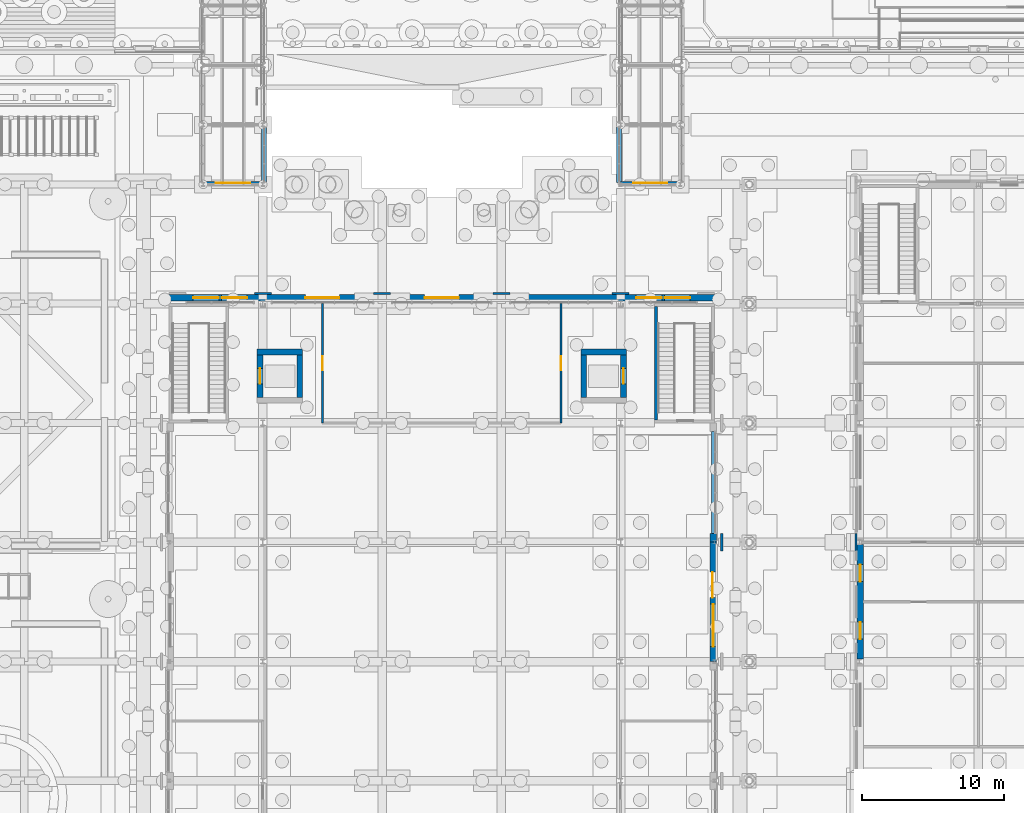
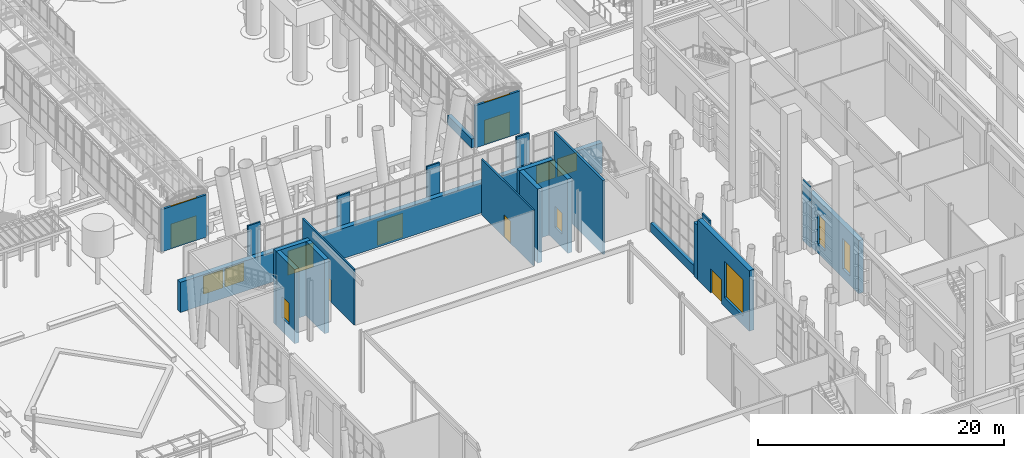
# One storey, part 96 of 222: 24 walls, 9 doors, 9 windows, 18 openings.
"""IFC4 building model written with IfcOpenShell, lengths in metres."""

from ifc_helpers import new_model, si_unit, direction, frame, frame_2d, origin, place, context, subcontext, project, spatial, rectangle, extrude, material, layer, layer_set, type_object, element, fill, save


model = new_model("IFC4")

# Units and contexts
model_context = context("Model", 3, precision=1e-05, world=origin(), true_north=direction((0.0, 1.0)))
body_context = subcontext(model_context, "Body", "Model", "MODEL_VIEW")
ifc_project = project(units=[si_unit("LENGTHUNIT", "METRE"), si_unit("AREAUNIT", "SQUARE_METRE"), si_unit("VOLUMEUNIT", "CUBIC_METRE"), si_unit("PLANEANGLEUNIT", "RADIAN"), si_unit("MASSUNIT", "GRAM", prefix="KILO")], contexts=[model_context])

# Site, building, storey
site_placement = place(None, origin())
site = spatial("IfcSite", under=ifc_project, at=site_placement, CompositionType="ELEMENT")
building_placement = place(site_placement, origin())
building = spatial("IfcBuilding", under=site, at=building_placement, Name="Sava Quay Ferry Terminal", CompositionType="ELEMENT")
storey_placement = place(building_placement, origin())
storey = spatial("IfcBuildingStorey", under=building, at=storey_placement, Name="L00", CompositionType="ELEMENT", Elevation=0.0)

# Wall, openings, door, window
ifc_material_1 = material(Name="Aluminium bronze anodised", Category="aluminium")
ifc_layer_1 = layer(ifc_material_1, 0.199951171875)
ifc_layer_set_1 = layer_set([ifc_layer_1], Name="Aluminium bronze anodised")
wall_type_1 = type_object("IfcWallType", Name="Gallery kerb wall 200", PredefinedType="SOLIDWALL", material=ifc_layer_set_1)
wall_1_placement = place(storey_placement, frame((46.199951171875, 109.300048828125, 0.0), z_axis=(0.0, 0.0, 1.0), x_axis=(1.0, 0.0, 0.0)))
wall_1 = element("IfcWall", 1, at=wall_1_placement, inside=storey, type_object=wall_type_1, Name="External wall B1 end S", PredefinedType="SOLIDWALL", context=body_context, shape_type="SweptSolid", body=[
    extrude(rectangle(XDim=4.199951171875, YDim=0.199951171875, at=frame_2d((2.10009765625, 0.0))), origin(), (0.0, 0.0, 1.0), 4.199951171875),
])
opening_1_placement = place(wall_1_placement, frame((0.89990234375, 0.0, 0.0)))
opening_1 = element("IfcOpeningElement", 2, at=opening_1_placement, cuts=wall_1, Name="Opening DX-B1", PredefinedType="OPENING", context=body_context, shape_type="SweptSolid", body=[
    extrude(rectangle(XDim=2.39990234375, YDim=2.39990234375, at=frame_2d((1.199951171875, 1.199951171875))), frame((0.0, 0.10009765625, 0.0), z_axis=(0.0, -1.0, 0.0), x_axis=(1.0, 0.0, 0.0)), (0.0, 0.0, 1.0), 0.199951171875),
])
opening_2_placement = place(wall_1_placement, frame((0.89990234375, 0.0, 3.0)))
opening_2 = element("IfcOpeningElement", 3, at=opening_2_placement, cuts=wall_1, Name="Opening W-T", PredefinedType="OPENING", context=body_context, shape_type="SweptSolid", body=[
    extrude(rectangle(XDim=2.39990234375, YDim=1.199951171875, at=frame_2d((1.199951171875, 0.60009765625))), frame((0.0, 0.10009765625, 0.0), z_axis=(0.0, -1.0, 0.0), x_axis=(1.0, 0.0, 0.0)), (0.0, 0.0, 1.0), 0.199951171875),
])
ifc_material_2 = material(Name="Aluminium bronze anodised, glazing safety laminated", Category="aluminium")
door_type_1 = type_object("IfcDoorType", Name="Entrance double door 2400x2400", OperationType="DOUBLE_DOOR_SINGLE_SWING", PredefinedType="DOOR", material=ifc_material_2)
door_1_placement = place(opening_1_placement, origin())
door_1 = element("IfcDoor", 4, at=door_1_placement, inside=storey, type_object=door_type_1, Name="Door DX-B1", OperationType="DOUBLE_DOOR_SINGLE_SWING", OverallHeight=2.39990234375, OverallWidth=2.39990234375, PredefinedType="DOOR", context=body_context, shape_type="SweptSolid", body=[
    extrude(rectangle(XDim=2.39990234375, YDim=2.39990234375, at=frame_2d((1.199951171875, 1.199951171875))), frame((0.0, 0.02490234375, 0.0), z_axis=(0.0, -1.0, 0.0), x_axis=(1.0, 0.0, 0.0)), (0.0, 0.0, 1.0), 0.050048828125),
])
fill(opening_1, door_1)
ifc_material_3 = material(Name="Aluminium bronze anodised frame, glazing double low-e Ug 1.1", Category="aluminium")
window_type_1 = type_object("IfcWindowType", Name="Gallery end transom window 2400x1200", PartitioningType="SINGLE_PANEL", PredefinedType="WINDOW", material=ifc_material_3)
window_1_placement = place(opening_2_placement, origin())
window_1 = element("IfcWindow", 5, at=window_1_placement, inside=storey, type_object=window_type_1, Name="Window W-T", OverallHeight=1.199951171875, OverallWidth=2.39990234375, PartitioningType="SINGLE_PANEL", PredefinedType="WINDOW", context=body_context, shape_type="SweptSolid", body=[
    extrude(rectangle(XDim=2.39990234375, YDim=1.199951171875, at=frame_2d((1.199951171875, 0.60009765625))), frame((0.0, 0.030029296875, 0.0), z_axis=(0.0, -1.0, 0.0), x_axis=(1.0, 0.0, 0.0)), (0.0, 0.0, 1.0), 0.06005859375),
])
fill(opening_2, window_1)

wall_2_placement = place(storey_placement, frame((75.60009765625, 109.300048828125, 0.0), z_axis=(0.0, 0.0, 1.0), x_axis=(1.0, 0.0, 0.0)))
wall_2 = element("IfcWall", 6, at=wall_2_placement, inside=storey, type_object=wall_type_1, Name="External wall B2 end S", PredefinedType="SOLIDWALL", context=body_context, shape_type="SweptSolid", body=[
    extrude(rectangle(XDim=4.199951171875, YDim=0.199951171875, at=frame_2d((2.10009765625, 0.0))), origin(), (0.0, 0.0, 1.0), 4.199951171875),
])
opening_3_placement = place(wall_2_placement, frame((0.89990234375, 0.0, 0.0)))
opening_3 = element("IfcOpeningElement", 7, at=opening_3_placement, cuts=wall_2, Name="Opening DX-B2", PredefinedType="OPENING", context=body_context, shape_type="SweptSolid", body=[
    extrude(rectangle(XDim=2.39990234375, YDim=2.39990234375, at=frame_2d((1.199951171875, 1.199951171875))), frame((0.0, 0.10009765625, 0.0), z_axis=(0.0, -1.0, 0.0), x_axis=(1.0, 0.0, 0.0)), (0.0, 0.0, 1.0), 0.199951171875),
])
opening_4_placement = place(wall_2_placement, frame((0.89990234375, 0.0, 3.0)))
opening_4 = element("IfcOpeningElement", 8, at=opening_4_placement, cuts=wall_2, Name="Opening W-T", PredefinedType="OPENING", context=body_context, shape_type="SweptSolid", body=[
    extrude(rectangle(XDim=2.39990234375, YDim=1.199951171875, at=frame_2d((1.199951171875, 0.60009765625))), frame((0.0, 0.10009765625, 0.0), z_axis=(0.0, -1.0, 0.0), x_axis=(1.0, 0.0, 0.0)), (0.0, 0.0, 1.0), 0.199951171875),
])
door_2_placement = place(opening_3_placement, origin())
door_2 = element("IfcDoor", 9, at=door_2_placement, inside=storey, type_object=door_type_1, Name="Door DX-B2", OperationType="DOUBLE_DOOR_SINGLE_SWING", OverallHeight=2.39990234375, OverallWidth=2.39990234375, PredefinedType="DOOR", context=body_context, shape_type="SweptSolid", body=[
    extrude(rectangle(XDim=2.39990234375, YDim=2.39990234375, at=frame_2d((1.199951171875, 1.199951171875))), frame((0.0, 0.02490234375, 0.0), z_axis=(0.0, -1.0, 0.0), x_axis=(1.0, 0.0, 0.0)), (0.0, 0.0, 1.0), 0.050048828125),
])
fill(opening_3, door_2)
window_2_placement = place(opening_4_placement, origin())
window_2 = element("IfcWindow", 10, at=window_2_placement, inside=storey, type_object=window_type_1, Name="Window W-T", OverallHeight=1.199951171875, OverallWidth=2.39990234375, PartitioningType="SINGLE_PANEL", PredefinedType="WINDOW", context=body_context, shape_type="SweptSolid", body=[
    extrude(rectangle(XDim=2.39990234375, YDim=1.199951171875, at=frame_2d((1.199951171875, 0.60009765625))), frame((0.0, 0.030029296875, 0.0), z_axis=(0.0, -1.0, 0.0), x_axis=(1.0, 0.0, 0.0)), (0.0, 0.0, 1.0), 0.06005859375),
])
fill(opening_4, window_2)

# Walls
ifc_material_4 = material(Name="Limestone Mutalj", Category="masonry")
ifc_layer_2 = layer(ifc_material_4, 0.35009765625)
ifc_layer_set_2 = layer_set([ifc_layer_2], Name="Limestone Mutalj")
wall_type_2 = type_object("IfcWallType", Name="Limestone kerb and parapet 350", PredefinedType="SOLIDWALL", material=ifc_layer_set_2)
wall_3_placement = place(storey_placement, frame((82.175048828125, 84.60009765625, 0.0), z_axis=(0.0, 0.0, 1.0), x_axis=(0.0, 1.0, 0.0)))
element("IfcWall", 11, at=wall_3_placement, inside=storey, type_object=wall_type_2, Name="External wall D", PredefinedType="SOLIDWALL", context=body_context, shape_type="SweptSolid", body=[
    extrude(rectangle(XDim=7.199951171875, YDim=0.35009765625, at=frame_2d((3.60009765625, 0.0))), origin(), (0.0, 0.0, 1.0), 0.89990234375),
])
for number, where, z_axis, x_axis, name in (
    (12, (50.5, 109.35009765625, 0.0), (0.0, 0.0, 1.0), (0.0, 1.0, 0.0), "Gallery kerb"),
    (13, (75.5, 109.35009765625, 0.0), (0.0, 0.0, 1.0), (0.0, 1.0, 0.0), "Gallery kerb"),
):
    element("IfcWall", number, at=place(storey_placement, frame(where, z_axis=z_axis, x_axis=x_axis)), inside=storey, type_object=wall_type_2, Name=name, PredefinedType="SOLIDWALL", context=body_context, shape_type="SweptSolid", body=[
        extrude(rectangle(XDim=3.89990234375, YDim=0.35009765625, at=frame_2d((1.949951171875, 0.0))), origin(), (0.0, 0.0, 1.0), 0.89990234375),
    ])
ifc_material_5 = material(Name="Limestone Mutalj", Category="masonry")
ifc_layer_3 = layer(ifc_material_5, 0.14990234375)
ifc_layer_set_3 = layer_set([ifc_layer_3], Name="Limestone Mutalj")
wall_type_3 = type_object("IfcWallType", Name="Pier cladding 150", PredefinedType="SOLIDWALL", material=ifc_layer_set_3)
for number, where, z_axis, x_axis, name in (
    (14, (92.175048828125, 83.39990234375, 0.0), (0.0, 0.0, 1.0), (0.0, 1.0, 0.0), "Pier O-W grid 84"),
    (15, (82.72509765625, 83.39990234375, 0.0), (0.0, 0.0, 1.0), (0.0, 1.0, 0.0), "External wall D"),
):
    element("IfcWall", number, at=place(storey_placement, frame(where, z_axis=z_axis, x_axis=x_axis)), inside=storey, type_object=wall_type_3, Name=name, PredefinedType="SOLIDWALL", context=body_context, shape_type="SweptSolid", body=[
        extrude(rectangle(XDim=1.2001953125, YDim=0.14990234375, at=frame_2d((0.60009765625, 0.0))), origin(), (0.0, 0.0, 1.0), 6.0),
    ])
for number, where, z_axis, x_axis, name in (
    (16, (49.800048828125, 101.52490234375, 0.0), (0.0, 0.0, 1.0), (1.0, 0.0, 0.0), "Pier D-N 50.4"),
    (17, (58.199951171875, 101.52490234375, 0.0), (0.0, 0.0, 1.0), (1.0, 0.0, 0.0), "Pier D-N 58.8"),
    (18, (66.60009765625, 101.52490234375, 0.0), (0.0, 0.0, 1.0), (1.0, 0.0, 0.0), "Pier D-N 67.2"),
    (19, (75.0, 101.52490234375, 0.0), (0.0, 0.0, 1.0), (1.0, 0.0, 0.0), "Pier D-N 75.6"),
):
    element("IfcWall", number, at=place(storey_placement, frame(where, z_axis=z_axis, x_axis=x_axis)), inside=storey, type_object=wall_type_3, Name=name, PredefinedType="SOLIDWALL", context=body_context, shape_type="SweptSolid", body=[
        extrude(rectangle(XDim=1.199951171875, YDim=0.14990234375, at=frame_2d((0.60009765625, 0.0))), origin(), (0.0, 0.0, 1.0), 6.0),
    ])

# Wall, opening, door
ifc_material_6 = material(Name="Masonry blockwork", Category="masonry")
ifc_layer_4 = layer(ifc_material_6, 0.14990234375)
ifc_layer_set_4 = layer_set([ifc_layer_4], Name="Masonry blockwork")
wall_type_4 = type_object("IfcWallType", Name="Plant, store and lobby wall, blockwork 150", PredefinedType="PARTITIONING", material=ifc_layer_set_4)
wall_4_placement = place(storey_placement, frame((54.60009765625, 92.39990234375, 0.0), z_axis=(0.0, 0.0, 1.0), x_axis=(0.0, 1.0, 0.0)))
wall_4 = element("IfcWall", 20, at=wall_4_placement, inside=storey, type_object=wall_type_4, Name="Plant, store and lobby wall, blockwork 150", PredefinedType="PARTITIONING", context=body_context, shape_type="SweptSolid", body=[
    extrude(rectangle(XDim=8.400146484375, YDim=0.14990234375, at=frame_2d((4.2001953125, 0.0))), origin(), (0.0, 0.0, 1.0), 5.510009765625),
])
opening_5_placement = place(wall_4_placement, frame((3.699951171875, 0.0, 0.0)))
opening_5 = element("IfcOpeningElement", 21, at=opening_5_placement, cuts=wall_4, Name="Opening D0023", PredefinedType="OPENING", context=body_context, shape_type="SweptSolid", body=[
    extrude(rectangle(XDim=1.0, YDim=2.199951171875, at=frame_2d((0.5, 1.10009765625))), frame((0.0, 0.074951171875, 0.0), z_axis=(0.0, -1.0, 0.0), x_axis=(1.0, 0.0, 0.0)), (0.0, 0.0, 1.0), 0.14990234375),
])
ifc_material_7 = material(Name="Timber door set", Category="wood")
door_type_2 = type_object("IfcDoorType", Name="Single door 1000 x 2200", OperationType="NOTDEFINED", PredefinedType="DOOR", material=ifc_material_7)
door_3_placement = place(opening_5_placement, origin())
door_3 = element("IfcDoor", 22, at=door_3_placement, inside=storey, type_object=door_type_2, Name="Door D0023", OperationType="SINGLE_SWING_RIGHT", OverallHeight=2.199951171875, OverallWidth=1.0, PredefinedType="DOOR", context=body_context, shape_type="SweptSolid", body=[
    extrude(rectangle(XDim=1.0, YDim=2.199951171875, at=frame_2d((0.5, 1.10009765625))), frame((0.0, 0.02490234375, 0.0), z_axis=(0.0, -1.0, 0.0), x_axis=(1.0, 0.0, 0.0)), (0.0, 0.0, 1.0), 0.050048828125),
])
fill(opening_5, door_3)

wall_5_placement = place(storey_placement, frame((71.39990234375, 92.39990234375, 0.0), z_axis=(0.0, 0.0, 1.0), x_axis=(0.0, 1.0, 0.0)))
wall_5 = element("IfcWall", 23, at=wall_5_placement, inside=storey, type_object=wall_type_4, Name="Plant, store and lobby wall, blockwork 150", PredefinedType="PARTITIONING", context=body_context, shape_type="SweptSolid", body=[
    extrude(rectangle(XDim=8.400146484375, YDim=0.14990234375, at=frame_2d((4.2001953125, 0.0))), origin(), (0.0, 0.0, 1.0), 5.510009765625),
])
opening_6_placement = place(wall_5_placement, frame((3.699951171875, 0.0, 0.0)))
opening_6 = element("IfcOpeningElement", 24, at=opening_6_placement, cuts=wall_5, Name="Opening D0024", PredefinedType="OPENING", context=body_context, shape_type="SweptSolid", body=[
    extrude(rectangle(XDim=1.0, YDim=2.199951171875, at=frame_2d((0.5, 1.10009765625))), frame((0.0, 0.074951171875, 0.0), z_axis=(0.0, -1.0, 0.0), x_axis=(1.0, 0.0, 0.0)), (0.0, 0.0, 1.0), 0.14990234375),
])
door_4_placement = place(opening_6_placement, origin())
door_4 = element("IfcDoor", 25, at=door_4_placement, inside=storey, type_object=door_type_2, Name="Door D0024", OperationType="SINGLE_SWING_RIGHT", OverallHeight=2.199951171875, OverallWidth=1.0, PredefinedType="DOOR", context=body_context, shape_type="SweptSolid", body=[
    extrude(rectangle(XDim=1.0, YDim=2.199951171875, at=frame_2d((0.5, 1.10009765625))), frame((0.0, 0.02490234375, 0.0), z_axis=(0.0, -1.0, 0.0), x_axis=(1.0, 0.0, 0.0)), (0.0, 0.0, 1.0), 0.050048828125),
])
fill(opening_6, door_4)

# Walls
ifc_material_8 = material(Name="Concrete C35/45", Category="concrete")
ifc_layer_5 = layer(ifc_material_8, 0.199951171875)
ifc_layer_set_5 = layer_set([ifc_layer_5], Name="Concrete C35/45")
wall_type_5 = type_object("IfcWallType", Name="RC core wall 200", PredefinedType="SHEAR", material=ifc_layer_set_5)
wall_6_placement = place(storey_placement, frame((78.10009765625, 92.60009765625, -1.35009765625), z_axis=(0.0, 0.0, 1.0), x_axis=(0.0, 1.0, 0.0)))
element("IfcWall", 26, at=wall_6_placement, inside=storey, type_object=wall_type_5, Name="Core wall ST-D6 W L00", PredefinedType="SHEAR", context=body_context, shape_type="SweptSolid", body=[
    extrude(rectangle(XDim=8.0, YDim=0.199951171875, at=frame_2d((4.0, 0.0))), origin(), (0.0, 0.0, 1.0), 7.35009765625),
])
ifc_material_9 = material(Name="Concrete C35/45", Category="concrete")
ifc_layer_6 = layer(ifc_material_9, 0.39990234375)
ifc_layer_set_6 = layer_set([ifc_layer_6], Name="Concrete C35/45")
wall_type_6 = type_object("IfcWallType", Name="RC core wall 400", PredefinedType="SHEAR", material=ifc_layer_set_6)
wall_7_placement = place(storey_placement, frame((50.0, 97.39990234375, -1.35009765625), z_axis=(0.0, 0.0, 1.0), x_axis=(1.0, 0.0, 0.0)))
element("IfcWall", 27, at=wall_7_placement, inside=storey, type_object=wall_type_6, Name="Core wall LF-D2 N L00", PredefinedType="SHEAR", context=body_context, shape_type="SweptSolid", body=[
    extrude(rectangle(XDim=3.199951171875, YDim=0.39990234375, at=frame_2d((1.60009765625, 0.0))), origin(), (0.0, 0.0, 1.0), 7.35009765625),
])

# Wall, opening, door
wall_8_placement = place(storey_placement, frame((50.199951171875, 94.199951171875, -1.35009765625), z_axis=(0.0, 0.0, 1.0), x_axis=(0.0, 1.0, 0.0)))
wall_8 = element("IfcWall", 28, at=wall_8_placement, inside=storey, type_object=wall_type_6, Name="Core wall LF-D2 W L00", PredefinedType="SHEAR", context=body_context, shape_type="SweptSolid", body=[
    extrude(rectangle(XDim=3.0, YDim=0.39990234375, at=frame_2d((1.5, 0.0))), origin(), (0.0, 0.0, 1.0), 7.35009765625),
])
opening_7_placement = place(wall_8_placement, frame((0.949951171875, 0.0, 1.35009765625)))
opening_7 = element("IfcOpeningElement", 29, at=opening_7_placement, cuts=wall_8, Name="Opening LD0008", PredefinedType="OPENING", context=body_context, shape_type="SweptSolid", body=[
    extrude(rectangle(XDim=1.10009765625, YDim=2.10009765625, at=frame_2d((0.550048828125, 1.050048828125))), frame((0.0, 0.199951171875, 0.0), z_axis=(0.0, -1.0, 0.0), x_axis=(1.0, 0.0, 0.0)), (0.0, 0.0, 1.0), 0.39990234375),
])
ifc_material_10 = material(Name="Stainless steel", Category="steel")
door_type_3 = type_object("IfcDoorType", Name="Lift landing door 1100 x 2100", OperationType="NOTDEFINED", PredefinedType="DOOR", material=ifc_material_10)
door_5_placement = place(opening_7_placement, origin())
door_5 = element("IfcDoor", 30, at=door_5_placement, inside=storey, type_object=door_type_3, Name="Door LD0008", OperationType="SLIDING_TO_RIGHT", OverallHeight=2.10009765625, OverallWidth=1.10009765625, PredefinedType="DOOR", context=body_context, shape_type="SweptSolid", body=[
    extrude(rectangle(XDim=1.10009765625, YDim=2.10009765625, at=frame_2d((0.550048828125, 1.050048828125))), frame((0.0, 0.02490234375, 0.0), z_axis=(0.0, -1.0, 0.0), x_axis=(1.0, 0.0, 0.0)), (0.0, 0.0, 1.0), 0.050048828125),
])
fill(opening_7, door_5)

# Walls
wall_9_placement = place(storey_placement, frame((53.0, 94.199951171875, -1.35009765625), z_axis=(0.0, 0.0, 1.0), x_axis=(0.0, 1.0, 0.0)))
element("IfcWall", 31, at=wall_9_placement, inside=storey, type_object=wall_type_6, Name="Core wall LF-D2 E L00", PredefinedType="SHEAR", context=body_context, shape_type="SweptSolid", body=[
    extrude(rectangle(XDim=3.0, YDim=0.39990234375, at=frame_2d((1.5, 0.0))), origin(), (0.0, 0.0, 1.0), 7.35009765625),
])
wall_10_placement = place(storey_placement, frame((72.800048828125, 97.39990234375, -1.35009765625), z_axis=(0.0, 0.0, 1.0), x_axis=(1.0, 0.0, 0.0)))
element("IfcWall", 32, at=wall_10_placement, inside=storey, type_object=wall_type_6, Name="Core wall LF-D3 N L00", PredefinedType="SHEAR", context=body_context, shape_type="SweptSolid", body=[
    extrude(rectangle(XDim=3.199951171875, YDim=0.39990234375, at=frame_2d((1.60009765625, 0.0))), origin(), (0.0, 0.0, 1.0), 7.35009765625),
])
wall_11_placement = place(storey_placement, frame((73.0, 94.199951171875, -1.35009765625), z_axis=(0.0, 0.0, 1.0), x_axis=(0.0, 1.0, 0.0)))
element("IfcWall", 33, at=wall_11_placement, inside=storey, type_object=wall_type_6, Name="Core wall LF-D3 W L00", PredefinedType="SHEAR", context=body_context, shape_type="SweptSolid", body=[
    extrude(rectangle(XDim=3.0, YDim=0.39990234375, at=frame_2d((1.5, 0.0))), origin(), (0.0, 0.0, 1.0), 7.35009765625),
])

# Wall, opening, door
wall_12_placement = place(storey_placement, frame((75.800048828125, 94.199951171875, -1.35009765625), z_axis=(0.0, 0.0, 1.0), x_axis=(0.0, 1.0, 0.0)))
wall_12 = element("IfcWall", 34, at=wall_12_placement, inside=storey, type_object=wall_type_6, Name="Core wall LF-D3 E L00", PredefinedType="SHEAR", context=body_context, shape_type="SweptSolid", body=[
    extrude(rectangle(XDim=3.0, YDim=0.39990234375, at=frame_2d((1.5, 0.0))), origin(), (0.0, 0.0, 1.0), 7.35009765625),
])
opening_8_placement = place(wall_12_placement, frame((0.949951171875, 0.0, 1.35009765625)))
opening_8 = element("IfcOpeningElement", 35, at=opening_8_placement, cuts=wall_12, Name="Opening LD0009", PredefinedType="OPENING", context=body_context, shape_type="SweptSolid", body=[
    extrude(rectangle(XDim=1.10009765625, YDim=2.10009765625, at=frame_2d((0.550048828125, 1.050048828125))), frame((0.0, 0.199951171875, 0.0), z_axis=(0.0, -1.0, 0.0), x_axis=(1.0, 0.0, 0.0)), (0.0, 0.0, 1.0), 0.39990234375),
])
door_6_placement = place(opening_8_placement, origin())
door_6 = element("IfcDoor", 36, at=door_6_placement, inside=storey, type_object=door_type_3, Name="Door LD0009", OperationType="SLIDING_TO_LEFT", OverallHeight=2.10009765625, OverallWidth=1.10009765625, PredefinedType="DOOR", context=body_context, shape_type="SweptSolid", body=[
    extrude(rectangle(XDim=1.10009765625, YDim=2.10009765625, at=frame_2d((0.550048828125, 1.050048828125))), frame((0.0, 0.02490234375, 0.0), z_axis=(0.0, -1.0, 0.0), x_axis=(1.0, 0.0, 0.0)), (0.0, 0.0, 1.0), 0.050048828125),
])
fill(opening_8, door_6)

# Wall, openings, windows
ifc_material_11 = material(Name="Limestone Mutalj", Category="masonry")
ifc_layer_7 = layer(ifc_material_11, 0.449951171875)
ifc_layer_set_7 = layer_set([ifc_layer_7], Name="Limestone Mutalj")
wall_type_7 = type_object("IfcWallType", Name="Rusticated limestone infill 450", PredefinedType="SOLIDWALL", material=ifc_layer_set_7)
wall_13_placement = place(storey_placement, frame((92.47509765625, 75.760009765625, 0.0), z_axis=(0.0, 0.0, 1.0), x_axis=(0.0, 1.0, 0.0)))
wall_13 = element("IfcWall", 37, at=wall_13_placement, inside=storey, type_object=wall_type_7, Name="External wall O-W", PredefinedType="SOLIDWALL", context=body_context, shape_type="SweptSolid", body=[
    extrude(rectangle(XDim=8.080078125, YDim=0.449951171875, at=frame_2d((4.0400390625, 0.0))), origin(), (0.0, 0.0, 1.0), 5.25),
])
opening_9_placement = place(wall_13_placement, frame((1.40869140625, 0.0, 0.89990234375)))
opening_9 = element("IfcOpeningElement", 38, at=opening_9_placement, cuts=wall_13, Name="Opening W-E1", PredefinedType="OPENING", context=body_context, shape_type="SweptSolid", body=[
    extrude(rectangle(XDim=1.199951171875, YDim=3.0, at=frame_2d((0.60009765625, 1.5))), frame((0.0, 0.22509765625, 0.0), z_axis=(0.0, -1.0, 0.0), x_axis=(1.0, 0.0, 0.0)), (0.0, 0.0, 1.0), 0.449951171875),
])
opening_10_placement = place(wall_13_placement, frame((5.47119140625, 0.0, 0.89990234375)))
opening_10 = element("IfcOpeningElement", 39, at=opening_10_placement, cuts=wall_13, Name="Opening W-E1", PredefinedType="OPENING", context=body_context, shape_type="SweptSolid", body=[
    extrude(rectangle(XDim=1.199951171875, YDim=3.0, at=frame_2d((0.60009765625, 1.5))), frame((0.0, 0.22509765625, 0.0), z_axis=(0.0, -1.0, 0.0), x_axis=(1.0, 0.0, 0.0)), (0.0, 0.0, 1.0), 0.449951171875),
])
ifc_material_12 = material(Name="Aluminium bronze anodised frame, glazing double low-e Ug 1.1", Category="aluminium")
window_type_2 = type_object("IfcWindowType", Name="Entrance sidelight 1200x3000", PartitioningType="SINGLE_PANEL", PredefinedType="WINDOW", material=ifc_material_12)
window_3_placement = place(opening_9_placement, origin())
window_3 = element("IfcWindow", 40, at=window_3_placement, inside=storey, type_object=window_type_2, Name="Window W-E1", OverallHeight=3.0, OverallWidth=1.199951171875, PartitioningType="SINGLE_PANEL", PredefinedType="WINDOW", context=body_context, shape_type="SweptSolid", body=[
    extrude(rectangle(XDim=1.199951171875, YDim=3.0, at=frame_2d((0.60009765625, 1.5))), frame((0.0, 0.030029296875, 0.0), z_axis=(0.0, -1.0, 0.0), x_axis=(1.0, 0.0, 0.0)), (0.0, 0.0, 1.0), 0.06005859375),
])
fill(opening_9, window_3)
window_4_placement = place(opening_10_placement, origin())
window_4 = element("IfcWindow", 41, at=window_4_placement, inside=storey, type_object=window_type_2, Name="Window W-E1", OverallHeight=3.0, OverallWidth=1.199951171875, PartitioningType="SINGLE_PANEL", PredefinedType="WINDOW", context=body_context, shape_type="SweptSolid", body=[
    extrude(rectangle(XDim=1.199951171875, YDim=3.0, at=frame_2d((0.60009765625, 1.5))), frame((0.0, 0.030029296875, 0.0), z_axis=(0.0, -1.0, 0.0), x_axis=(1.0, 0.0, 0.0)), (0.0, 0.0, 1.0), 0.06005859375),
])
fill(opening_10, window_4)

# Wall, openings, door, window
wall_14_placement = place(storey_placement, frame((82.125, 75.60009765625, 0.0), z_axis=(0.0, 0.0, 1.0), x_axis=(0.0, 1.0, 0.0)))
wall_14 = element("IfcWall", 42, at=wall_14_placement, inside=storey, type_object=wall_type_7, Name="External wall D", PredefinedType="SOLIDWALL", context=body_context, shape_type="SweptSolid", body=[
    extrude(rectangle(XDim=8.39990234375, YDim=0.449951171875, at=frame_2d((4.199951171875, 0.0))), origin(), (0.0, 0.0, 1.0), 6.0),
])
opening_11_placement = place(wall_14_placement, frame((4.5, 0.0, 0.0)))
opening_11 = element("IfcOpeningElement", 43, at=opening_11_placement, cuts=wall_14, Name="Opening DX-D6", PredefinedType="OPENING", context=body_context, shape_type="SweptSolid", body=[
    extrude(rectangle(XDim=1.800048828125, YDim=2.39990234375, at=frame_2d((0.89990234375, 1.199951171875))), frame((0.0, 0.22509765625, 0.0), z_axis=(0.0, -1.0, 0.0), x_axis=(1.0, 0.0, 0.0)), (0.0, 0.0, 1.0), 0.449951171875),
])
opening_12_placement = place(wall_14_placement, frame((1.050048828125, 0.0, 0.89990234375)))
opening_12 = element("IfcOpeningElement", 44, at=opening_12_placement, cuts=wall_14, Name="Opening W-A", PredefinedType="OPENING", context=body_context, shape_type="SweptSolid", body=[
    extrude(rectangle(XDim=3.0, YDim=3.60009765625, at=frame_2d((1.5, 1.800048828125))), frame((0.0, 0.22509765625, 0.0), z_axis=(0.0, -1.0, 0.0), x_axis=(1.0, 0.0, 0.0)), (0.0, 0.0, 1.0), 0.449951171875),
])
ifc_material_13 = material(Name="Aluminium bronze anodised, glazing safety laminated", Category="aluminium")
door_type_4 = type_object("IfcDoorType", Name="Exit double door 1800x2400", OperationType="DOUBLE_DOOR_SINGLE_SWING", PredefinedType="DOOR", material=ifc_material_13)
door_7_placement = place(opening_11_placement, frame((1.800048828125, 0.050048828125, 0.0), z_axis=(0.0, 0.0, 1.0), x_axis=(-1.0, 0.0, 0.0)))
door_7 = element("IfcDoor", 45, at=door_7_placement, inside=storey, type_object=door_type_4, Name="Door DX-D6", OperationType="DOUBLE_DOOR_SINGLE_SWING", OverallHeight=2.39990234375, OverallWidth=1.800048828125, PredefinedType="DOOR", context=body_context, shape_type="SweptSolid", body=[
    extrude(rectangle(XDim=1.800048828125, YDim=2.39990234375, at=frame_2d((0.89990234375, 1.199951171875))), frame((0.0, 0.02490234375, 0.0), z_axis=(0.0, -1.0, 0.0), x_axis=(1.0, 0.0, 0.0)), (0.0, 0.0, 1.0), 0.050048828125),
])
fill(opening_11, door_7)
ifc_material_14 = material(Name="Aluminium bronze anodised frame, glazing double low-e Ug 1.1", Category="aluminium")
window_type_3 = type_object("IfcWindowType", Name="Tall ordered window 3000x3600", PartitioningType="SINGLE_PANEL", PredefinedType="WINDOW", material=ifc_material_14)
window_5_placement = place(opening_12_placement, origin())
window_5 = element("IfcWindow", 46, at=window_5_placement, inside=storey, type_object=window_type_3, Name="Window W-A", OverallHeight=3.60009765625, OverallWidth=3.0, PartitioningType="SINGLE_PANEL", PredefinedType="WINDOW", context=body_context, shape_type="SweptSolid", body=[
    extrude(rectangle(XDim=3.0, YDim=3.60009765625, at=frame_2d((1.5, 1.800048828125))), frame((0.0, 0.030029296875, 0.0), z_axis=(0.0, -1.0, 0.0), x_axis=(1.0, 0.0, 0.0)), (0.0, 0.0, 1.0), 0.06005859375),
])
fill(opening_12, window_5)

# Wall
wall_15_placement = place(storey_placement, frame((82.125, 84.0, 0.0), z_axis=(0.0, 0.0, 1.0), x_axis=(0.0, 1.0, 0.0)))
element("IfcWall", 47, at=wall_15_placement, inside=storey, type_object=wall_type_7, Name="External wall D", PredefinedType="SOLIDWALL", context=body_context, shape_type="SweptSolid", body=[
    extrude(rectangle(XDim=0.60009765625, YDim=0.449951171875, at=frame_2d((0.300048828125, 0.0))), origin(), (0.0, 0.0, 1.0), 5.39990234375),
])

# Wall, openings, doors, windows
wall_16_placement = place(storey_placement, frame((43.199951171875, 101.22509765625, 0.0), z_axis=(0.0, 0.0, 1.0), x_axis=(1.0, 0.0, 0.0)))
wall_16 = element("IfcWall", 48, at=wall_16_placement, inside=storey, type_object=wall_type_7, Name="External wall D-N", PredefinedType="SOLIDWALL", context=body_context, shape_type="SweptSolid", body=[
    extrude(rectangle(XDim=39.60009765625, YDim=0.449951171875, at=frame_2d((19.800048828125, 0.0))), origin(), (0.0, 0.0, 1.0), 3.0),
])
opening_13_placement = place(wall_16_placement, frame((2.300048828125, 0.0, 0.89990234375)))
opening_13 = element("IfcOpeningElement", 49, at=opening_13_placement, cuts=wall_16, Name="Opening W-G", PredefinedType="OPENING", context=body_context, shape_type="SweptSolid", body=[
    extrude(rectangle(XDim=1.800048828125, YDim=1.800048828125, at=frame_2d((0.89990234375, 0.89990234375))), frame((0.0, 0.22509765625, 0.0), z_axis=(0.0, -1.0, 0.0), x_axis=(1.0, 0.0, 0.0)), (0.0, 0.0, 1.0), 0.449951171875),
])
opening_14_placement = place(wall_16_placement, frame((4.300048828125, 0.0, 0.89990234375)))
opening_14 = element("IfcOpeningElement", 50, at=opening_14_placement, cuts=wall_16, Name="Opening W-G", PredefinedType="OPENING", context=body_context, shape_type="SweptSolid", body=[
    extrude(rectangle(XDim=1.800048828125, YDim=1.800048828125, at=frame_2d((0.89990234375, 0.89990234375))), frame((0.0, 0.22509765625, 0.0), z_axis=(0.0, -1.0, 0.0), x_axis=(1.0, 0.0, 0.0)), (0.0, 0.0, 1.0), 0.449951171875),
])
opening_15_placement = place(wall_16_placement, frame((10.199951171875, 0.0, 0.0)))
opening_15 = element("IfcOpeningElement", 51, at=opening_15_placement, cuts=wall_16, Name="Opening DX-D7", PredefinedType="OPENING", context=body_context, shape_type="SweptSolid", body=[
    extrude(rectangle(XDim=2.39990234375, YDim=2.39990234375, at=frame_2d((1.199951171875, 1.199951171875))), frame((0.0, 0.22509765625, 0.0), z_axis=(0.0, -1.0, 0.0), x_axis=(1.0, 0.0, 0.0)), (0.0, 0.0, 1.0), 0.449951171875),
])
opening_16_placement = place(wall_16_placement, frame((18.60009765625, 0.0, 0.0)))
opening_16 = element("IfcOpeningElement", 52, at=opening_16_placement, cuts=wall_16, Name="Opening DX-D8", PredefinedType="OPENING", context=body_context, shape_type="SweptSolid", body=[
    extrude(rectangle(XDim=2.39990234375, YDim=2.39990234375, at=frame_2d((1.199951171875, 1.199951171875))), frame((0.0, 0.22509765625, 0.0), z_axis=(0.0, -1.0, 0.0), x_axis=(1.0, 0.0, 0.0)), (0.0, 0.0, 1.0), 0.449951171875),
])
opening_17_placement = place(wall_16_placement, frame((33.5, 0.0, 0.89990234375)))
opening_17 = element("IfcOpeningElement", 53, at=opening_17_placement, cuts=wall_16, Name="Opening W-G", PredefinedType="OPENING", context=body_context, shape_type="SweptSolid", body=[
    extrude(rectangle(XDim=1.800048828125, YDim=1.800048828125, at=frame_2d((0.89990234375, 0.89990234375))), frame((0.0, 0.22509765625, 0.0), z_axis=(0.0, -1.0, 0.0), x_axis=(1.0, 0.0, 0.0)), (0.0, 0.0, 1.0), 0.449951171875),
])
opening_18_placement = place(wall_16_placement, frame((35.5, 0.0, 0.89990234375)))
opening_18 = element("IfcOpeningElement", 54, at=opening_18_placement, cuts=wall_16, Name="Opening W-G", PredefinedType="OPENING", context=body_context, shape_type="SweptSolid", body=[
    extrude(rectangle(XDim=1.800048828125, YDim=1.800048828125, at=frame_2d((0.89990234375, 0.89990234375))), frame((0.0, 0.22509765625, 0.0), z_axis=(0.0, -1.0, 0.0), x_axis=(1.0, 0.0, 0.0)), (0.0, 0.0, 1.0), 0.449951171875),
])
door_8_placement = place(opening_15_placement, origin())
door_8 = element("IfcDoor", 55, at=door_8_placement, inside=storey, type_object=door_type_1, Name="Door DX-D7", OperationType="DOUBLE_DOOR_SINGLE_SWING", OverallHeight=2.39990234375, OverallWidth=2.39990234375, PredefinedType="DOOR", context=body_context, shape_type="SweptSolid", body=[
    extrude(rectangle(XDim=2.39990234375, YDim=2.39990234375, at=frame_2d((1.199951171875, 1.199951171875))), frame((0.0, 0.02490234375, 0.0), z_axis=(0.0, -1.0, 0.0), x_axis=(1.0, 0.0, 0.0)), (0.0, 0.0, 1.0), 0.050048828125),
])
fill(opening_15, door_8)
door_9_placement = place(opening_16_placement, origin())
door_9 = element("IfcDoor", 56, at=door_9_placement, inside=storey, type_object=door_type_1, Name="Door DX-D8", OperationType="DOUBLE_DOOR_SINGLE_SWING", OverallHeight=2.39990234375, OverallWidth=2.39990234375, PredefinedType="DOOR", context=body_context, shape_type="SweptSolid", body=[
    extrude(rectangle(XDim=2.39990234375, YDim=2.39990234375, at=frame_2d((1.199951171875, 1.199951171875))), frame((0.0, 0.02490234375, 0.0), z_axis=(0.0, -1.0, 0.0), x_axis=(1.0, 0.0, 0.0)), (0.0, 0.0, 1.0), 0.050048828125),
])
fill(opening_16, door_9)
ifc_material_15 = material(Name="Aluminium bronze anodised frame, glazing double low-e Ug 1.1", Category="aluminium")
window_type_4 = type_object("IfcWindowType", Name="Gable base window 1800x1800", PartitioningType="SINGLE_PANEL", PredefinedType="WINDOW", material=ifc_material_15)
window_6_placement = place(opening_13_placement, origin())
window_6 = element("IfcWindow", 57, at=window_6_placement, inside=storey, type_object=window_type_4, Name="Window W-G", OverallHeight=1.800048828125, OverallWidth=1.800048828125, PartitioningType="SINGLE_PANEL", PredefinedType="WINDOW", context=body_context, shape_type="SweptSolid", body=[
    extrude(rectangle(XDim=1.800048828125, YDim=1.800048828125, at=frame_2d((0.89990234375, 0.89990234375))), frame((0.0, 0.030029296875, 0.0), z_axis=(0.0, -1.0, 0.0), x_axis=(1.0, 0.0, 0.0)), (0.0, 0.0, 1.0), 0.06005859375),
])
fill(opening_13, window_6)
window_7_placement = place(opening_14_placement, origin())
window_7 = element("IfcWindow", 58, at=window_7_placement, inside=storey, type_object=window_type_4, Name="Window W-G", OverallHeight=1.800048828125, OverallWidth=1.800048828125, PartitioningType="SINGLE_PANEL", PredefinedType="WINDOW", context=body_context, shape_type="SweptSolid", body=[
    extrude(rectangle(XDim=1.800048828125, YDim=1.800048828125, at=frame_2d((0.89990234375, 0.89990234375))), frame((0.0, 0.030029296875, 0.0), z_axis=(0.0, -1.0, 0.0), x_axis=(1.0, 0.0, 0.0)), (0.0, 0.0, 1.0), 0.06005859375),
])
fill(opening_14, window_7)
window_8_placement = place(opening_17_placement, origin())
window_8 = element("IfcWindow", 59, at=window_8_placement, inside=storey, type_object=window_type_4, Name="Window W-G", OverallHeight=1.800048828125, OverallWidth=1.800048828125, PartitioningType="SINGLE_PANEL", PredefinedType="WINDOW", context=body_context, shape_type="SweptSolid", body=[
    extrude(rectangle(XDim=1.800048828125, YDim=1.800048828125, at=frame_2d((0.89990234375, 0.89990234375))), frame((0.0, 0.030029296875, 0.0), z_axis=(0.0, -1.0, 0.0), x_axis=(1.0, 0.0, 0.0)), (0.0, 0.0, 1.0), 0.06005859375),
])
fill(opening_17, window_8)
window_9_placement = place(opening_18_placement, origin())
window_9 = element("IfcWindow", 60, at=window_9_placement, inside=storey, type_object=window_type_4, Name="Window W-G", OverallHeight=1.800048828125, OverallWidth=1.800048828125, PartitioningType="SINGLE_PANEL", PredefinedType="WINDOW", context=body_context, shape_type="SweptSolid", body=[
    extrude(rectangle(XDim=1.800048828125, YDim=1.800048828125, at=frame_2d((0.89990234375, 0.89990234375))), frame((0.0, 0.030029296875, 0.0), z_axis=(0.0, -1.0, 0.0), x_axis=(1.0, 0.0, 0.0)), (0.0, 0.0, 1.0), 0.06005859375),
])
fill(opening_18, window_9)

save(model, "model.ifc")
